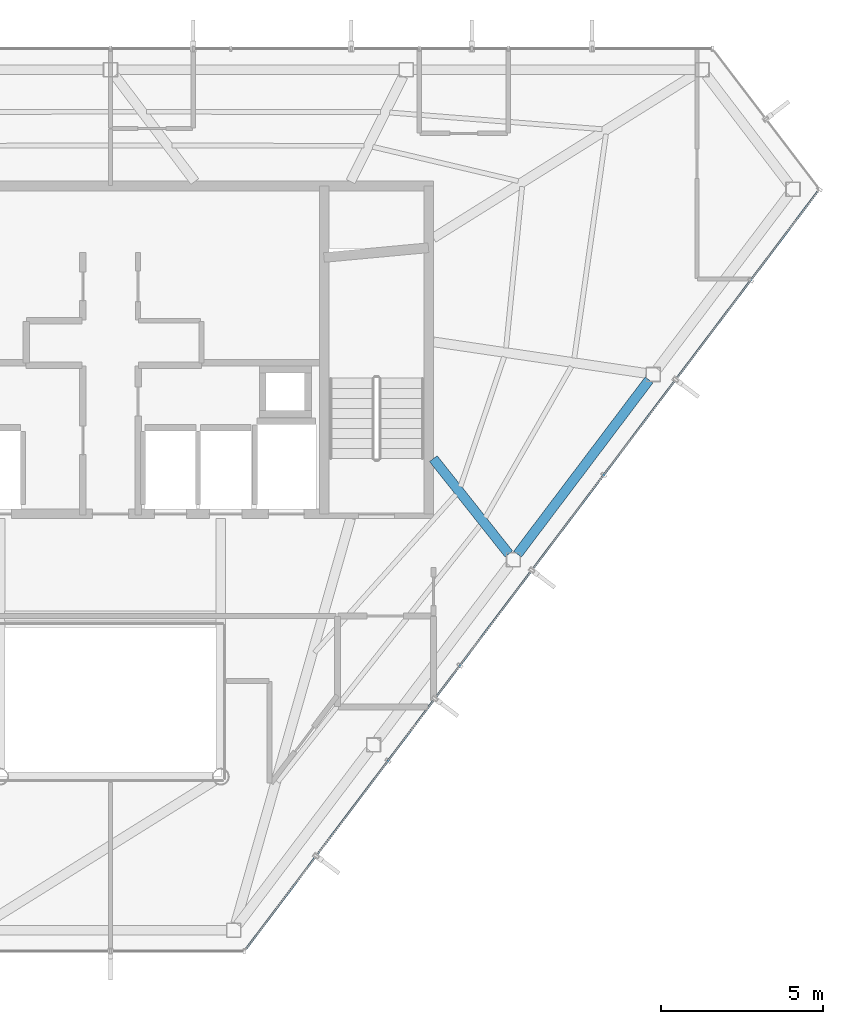
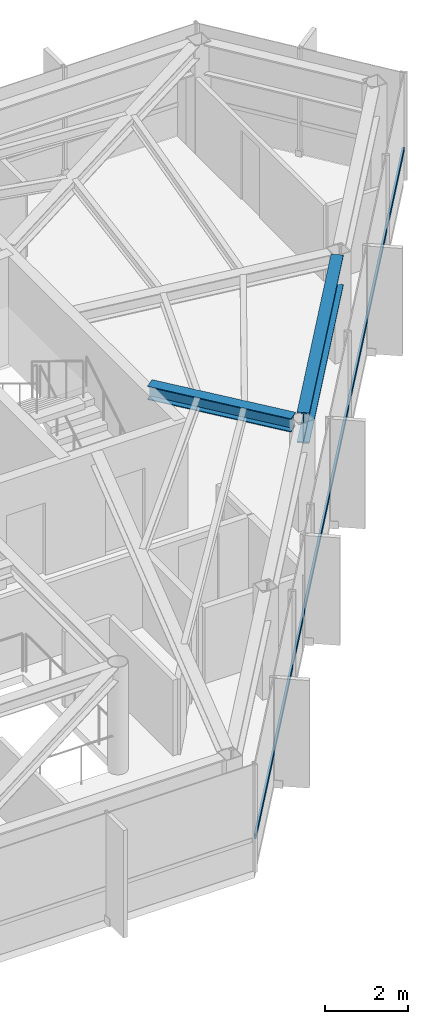
# One storey, part 16 of 23: 2 beams, 1 member, 1 element without a shape of its own.
"""IFC4 building model written with IfcOpenShell, lengths in metres."""

import ifcopenshell
import ifcopenshell.guid

model = None  # the IFC model being written
_history = None  # IfcOwnerHistory: only IFC2X3 demands one
_inside = {}  # id of a spatial element -> (the spatial element, [elements in it])
_under = {}  # id of a project, library or spatial element -> (it, [spatial elements below it])
_declared = {}  # id of a project -> (the project, [libraries it declares])
_typed = {}  # id of a type object -> (the type object, [elements of that type])
_made_of = {}  # id of a material, layer set ... -> (it, [elements and type objects made of it])


def new_model(schema):
    """Start an empty IFC model of exactly this schema.

    Asked for "IFC4X3", IfcOpenShell would pick the latest addendum, in which some entities
    have other attributes; the version numbers below select the first issue.
    IFC2X3 requires an IfcOwnerHistory on every rooted entity: one is made here for all.
    """
    global model, _history
    if schema == "IFC4X3":
        model = ifcopenshell.file(schema_version=(4, 3, 0, 0))
    else:
        model = ifcopenshell.file(schema=schema)
    _inside.clear()
    _under.clear()
    _declared.clear()
    _typed.clear()
    _made_of.clear()
    _history = None
    if model.schema == "IFC2X3":
        org = make("IfcOrganization", Name="unknown")
        user = make(
            "IfcPersonAndOrganization",
            ThePerson=make("IfcPerson", FamilyName="unknown"),
            TheOrganization=org,
        )
        app = make(
            "IfcApplication",
            ApplicationDeveloper=org,
            Version="unknown",
            ApplicationFullName="unknown",
            ApplicationIdentifier="unknown",
        )
        _history = make(
            "IfcOwnerHistory",
            OwningUser=user,
            OwningApplication=app,
            ChangeAction="ADDED",
            CreationDate=0,
        )
    return model


def make(cls, **values):
    """One entity of the class cls with the attributes given. An attribute that is None is left unset."""
    return model.create_entity(
        cls, **{name: value for name, value in values.items() if value is not None}
    )


def rooted(cls, **values):
    """An entity with a GlobalId (a new one), such as an element, a storey or a relation."""
    return make(cls, GlobalId=ifcopenshell.guid.new(), OwnerHistory=_history, **values)


def si_unit(unit_type, name, prefix=None):
    """IfcSIUnit, for example si_unit("LENGTHUNIT", "METRE", prefix="MILLI")."""
    return make("IfcSIUnit", UnitType=unit_type, Prefix=prefix, Name=name)


def assignment(units):
    """IfcUnitAssignment: the units of a project."""
    return None if units is None else make("IfcUnitAssignment", Units=units)


def point(xyz):
    """IfcCartesianPoint."""
    return None if xyz is None else make("IfcCartesianPoint", Coordinates=xyz)


def direction(xyz):
    """IfcDirection."""
    return None if xyz is None else make("IfcDirection", DirectionRatios=xyz)


def frame(location, z_axis=None, x_axis=None):
    """IfcAxis2Placement3D, a coordinate frame: its origin and axes. An axis left out is left unset."""
    return make(
        "IfcAxis2Placement3D",
        Location=point(location),
        Axis=direction(z_axis),
        RefDirection=direction(x_axis),
    )


def frame_2d(location, x_axis=None):
    """IfcAxis2Placement2D, a coordinate frame in the plane: its origin and x axis."""
    return make(
        "IfcAxis2Placement2D", Location=point(location), RefDirection=direction(x_axis)
    )


def origin():
    """The frame at (0, 0, 0) with its axes left unset."""
    return frame((0.0, 0.0, 0.0))


def origin_2d():
    """The frame at (0, 0) in the plane with its x axis left unset."""
    return frame_2d((0.0, 0.0))


def place(relative_to, where):
    """IfcLocalPlacement: puts the frame where relative to a parent placement (None: the world)."""
    return make(
        "IfcLocalPlacement", PlacementRelTo=relative_to, RelativePlacement=where
    )


def context(
    kind, dimensions, precision=None, world=None, true_north=None, identifier=None
):
    """IfcGeometricRepresentationContext, for example the 3D "Model" context."""
    return make(
        "IfcGeometricRepresentationContext",
        ContextIdentifier=identifier,
        ContextType=kind,
        CoordinateSpaceDimension=dimensions,
        Precision=precision,
        WorldCoordinateSystem=world,
        TrueNorth=true_north,
    )


def subcontext(parent, identifier, kind, view, scale=None):
    """IfcGeometricRepresentationSubContext, for example "Body" below "Model"."""
    return make(
        "IfcGeometricRepresentationSubContext",
        ContextIdentifier=identifier,
        ContextType=kind,
        ParentContext=parent,
        TargetScale=scale,
        TargetView=view,
    )


def project(units=None, contexts=None):
    """IfcProject with its units and contexts."""
    return rooted(
        "IfcProject",
        Name="project",
        RepresentationContexts=contexts,
        UnitsInContext=assignment(units),
    )


def spatial(cls, under=None, at=None, **own):
    """A site, building, storey or space (cls), placed at a placement, below another one or the project."""
    s = rooted(cls, ObjectPlacement=at, **own)
    if under is not None:
        _under.setdefault(under.id(), (under, []))[1].append(s)
    return s


def profile(cls, at=None, kind="AREA", **sizes):
    """A parametric profile (cls). Its sizes go by their IFC names, for example OverallWidth=200.0."""
    return make(cls, ProfileType=kind, Position=at, **sizes)


def hollow_rectangle(**sizes):
    """IfcRectangleHollowProfileDef."""
    return profile("IfcRectangleHollowProfileDef", **sizes)


def i_section(**sizes):
    """IfcIShapeProfileDef."""
    return profile("IfcIShapeProfileDef", **sizes)


def extrude(swept, where, along, depth):
    """IfcExtrudedAreaSolid: the profile swept, set in the frame where, extruded along a direction by depth."""
    return make(
        "IfcExtrudedAreaSolid",
        SweptArea=swept,
        Position=where,
        ExtrudedDirection=direction(along),
        Depth=depth,
    )


def shape(context_of_items, identifier, shape_type, items):
    """IfcShapeRepresentation: the items that make up one representation, for example the "Body"."""
    return make(
        "IfcShapeRepresentation",
        ContextOfItems=context_of_items,
        RepresentationIdentifier=identifier,
        RepresentationType=shape_type,
        Items=items,
    )


def material(Name=None, Category=None):
    """IfcMaterial."""
    return make("IfcMaterial", Name=Name, Category=Category)


def layer(
    of_material, thickness, ventilated=None, Name=None, Category=None, Priority=None
):
    """IfcMaterialLayer: one layer of a wall or slab, of a material (None: an air gap)."""
    return make(
        "IfcMaterialLayer",
        Material=of_material,
        LayerThickness=thickness,
        IsVentilated=ventilated,
        Name=Name,
        Category=Category,
        Priority=Priority,
    )


def layer_set(layers, Name=None):
    """IfcMaterialLayerSet."""
    return make("IfcMaterialLayerSet", MaterialLayers=layers, LayerSetName=Name)


def material_profile(
    of_material, cross_section, Name=None, Category=None, Priority=None
):
    """IfcMaterialProfile: a cross section and its material."""
    return make(
        "IfcMaterialProfile",
        Name=Name,
        Material=of_material,
        Profile=cross_section,
        Priority=Priority,
        Category=Category,
    )


def profile_set(profiles, Name=None, composite=None):
    """IfcMaterialProfileSet."""
    return make(
        "IfcMaterialProfileSet",
        Name=Name,
        MaterialProfiles=profiles,
        CompositeProfile=composite,
    )


def made_of(thing, what):
    """Note that an element or type object is made of a material, layer set ...; save() writes the relation."""
    if what is not None:
        _made_of.setdefault(what.id(), (what, []))[1].append(thing)
    return thing


def type_object(cls, material=None, **own):
    """A type object (cls), such as IfcWallType, which elements share."""
    return made_of(rooted(cls, **own), material)


def element(
    cls,
    number,
    at=None,
    inside=None,
    cuts=None,
    type_object=None,
    material=None,
    context=None,
    identifier="Body",
    shape_type=None,
    held_by="IfcProductDefinitionShape",
    body=None,
    shapes=None,
    **own,
):
    """One element of the class cls, such as IfcWall. Its Tag is "e" and its number.

    at: its placement. inside: the storey or other place that contains it. cuts: it is an
    opening in that element (IfcRelVoidsElement). A single representation is given by context,
    identifier, shape_type and body (its items); several are given by shapes. held_by: the class
    of the entity that holds the representations. save() writes the other relations.
    """
    e = rooted(cls, Tag="e%d" % number, ObjectPlacement=at, **own)
    if body is not None:
        shapes = [shape(context, identifier, shape_type, body)]
    if shapes is not None:
        e.Representation = make(held_by, Representations=shapes)
    if inside is not None:
        _inside.setdefault(inside.id(), (inside, []))[1].append(e)
    if cuts is not None:
        rooted(
            "IfcRelVoidsElement", RelatingBuildingElement=cuts, RelatedOpeningElement=e
        )
    if type_object is not None:
        _typed.setdefault(type_object.id(), (type_object, []))[1].append(e)
    return made_of(e, material)


def aggregate(whole, parts):
    """IfcRelAggregates: a whole, such as a stair, and the parts it consists of."""
    return rooted("IfcRelAggregates", RelatingObject=whole, RelatedObjects=parts)


def save(model, path):
    """Write the relations noted so far, then the file.

    IfcRelAggregates (storeys below a building ...), IfcRelContainedInSpatialStructure (elements
    in a storey), IfcRelDefinesByType, IfcRelAssociatesMaterial and IfcRelDeclares: one each for
    every whole, place, type object, material and project.
    """
    for whole, parts in _under.values():
        aggregate(whole, parts)
    for where, things in _inside.values():
        rooted(
            "IfcRelContainedInSpatialStructure",
            RelatedElements=things,
            RelatingStructure=where,
        )
    for kind, things in _typed.values():
        rooted("IfcRelDefinesByType", RelatedObjects=things, RelatingType=kind)
    for what, things in _made_of.values():
        rooted("IfcRelAssociatesMaterial", RelatedObjects=things, RelatingMaterial=what)
    for by, libraries in _declared.values():
        rooted("IfcRelDeclares", RelatingContext=by, RelatedDefinitions=libraries)
    model.write(path)


model = new_model("IFC4")

# Units and contexts
model_context = context("Model", 3, precision=1e-05, world=origin(), true_north=direction((0.0, 1.0)))
body_context = subcontext(model_context, "Body", "Model", "MODEL_VIEW")
ifc_project = project(units=[si_unit("LENGTHUNIT", "METRE"), si_unit("AREAUNIT", "SQUARE_METRE"), si_unit("VOLUMEUNIT", "CUBIC_METRE"), si_unit("PLANEANGLEUNIT", "RADIAN"), si_unit("MASSUNIT", "GRAM", prefix="KILO")], contexts=[model_context])

# Site, building, storey
site_placement = place(None, origin())
site = spatial("IfcSite", under=ifc_project, at=site_placement, CompositionType="ELEMENT")
building_placement = place(site_placement, origin())
building = spatial("IfcBuilding", under=site, at=building_placement, Name="Zarrinselat Tower", CompositionType="ELEMENT")
storey_placement = place(building_placement, frame((0.0, 0.0, 278.800048828125)))
storey = spatial("IfcBuildingStorey", under=building, at=storey_placement, Name="L71", CompositionType="ELEMENT", Elevation=278.800048828125)

# Beams
ifc_material_1 = material(Name="Steel S355J2", Category="steel")
ifc_material_profile_1 = material_profile(ifc_material_1, i_section(OverallWidth=0.300048828125, OverallDepth=0.39990234375, WebThickness=0.013427734375, FlangeThickness=0.02392578125, at=origin_2d()), Name="HEB 400")
ifc_profile_set_1 = profile_set([ifc_material_profile_1], Name="Steel S355J2")
beam_type_1 = type_object("IfcBeamType", Name="BM-HEB400", PredefinedType="BEAM", material=ifc_profile_set_1)
beam_1_placement = place(storey_placement, frame((48.35009765625, 35.0, 2.97998046875), z_axis=(0.620983415938, -0.783823702838, 0.0), x_axis=(0.783823702838, 0.620983415938, 0.0)))
element("IfcBeam", 1, at=beam_1_placement, inside=storey, type_object=beam_type_1, Name="L71 Radial Primary Girder RG13", PredefinedType="BEAM", context=body_context, shape_type="SweptSolid", body=[
    extrude(i_section(OverallWidth=0.300048828125, OverallDepth=0.39990234375, WebThickness=0.013427734375, FlangeThickness=0.02392578125, at=origin_2d()), origin(), (0.0, 0.0, 1.0), 3.7451171875),
])
ifc_material_2 = material(Name="Steel S460M", Category="steel")
ifc_material_profile_2 = material_profile(ifc_material_2, i_section(OverallWidth=0.302001953125, OverallDepth=0.909912109375, WebThickness=0.02099609375, FlangeThickness=0.0400390625, at=origin_2d()), Name="HEM 900")
ifc_profile_set_2 = profile_set([ifc_material_profile_2], Name="Steel S460M")
beam_type_2 = type_object("IfcBeamType", Name="BM-HEM900", PredefinedType="BEAM", material=ifc_profile_set_2)
beam_2_placement = place(storey_placement, frame((50.945068359375, 32.056396484375, 2.724853515625), z_axis=(0.602430465943, 0.798171368632, 0.0), x_axis=(-0.798171368632, 0.602430465943, 0.0)))
element("IfcBeam", 2, at=beam_2_placement, inside=storey, type_object=beam_type_2, Name="L71 Perimeter Spandrel Girder SP13", PredefinedType="BEAM", context=body_context, shape_type="SweptSolid", body=[
    extrude(i_section(OverallWidth=0.302001953125, OverallDepth=0.909912109375, WebThickness=0.02099609375, FlangeThickness=0.0400390625, at=origin_2d()), origin(), (0.0, 0.0, 1.0), 6.7265625),
])

# Curtain wall, member
ifc_material_3 = material(Name="Extruded Aluminium Alloy EN AW-6063 T6", Category="aluminium")
ifc_layer = layer(ifc_material_3, 0.199951171875)
ifc_layer_set = layer_set([ifc_layer], Name="Extruded Aluminium Alloy EN AW-6063 T6")
curtain_wall_type = type_object("IfcCurtainWallType", Name="CWS-BLADE", PredefinedType="NOTDEFINED", material=ifc_layer_set)
curtain_wall_placement = place(storey_placement, origin())
curtain_wall = element("IfcCurtainWall", 3, at=curtain_wall_placement, inside=storey, type_object=curtain_wall_type, Name="L71 Unitised Curtain Wall CW-L71-E05", PredefinedType="NOTDEFINED")
ifc_material_4 = material(Name="Extruded Aluminium Alloy EN AW-6063 T6", Category="aluminium")
ifc_material_profile_3 = material_profile(ifc_material_4, hollow_rectangle(XDim=0.06005859375, YDim=0.139892578125, WallThickness=0.00390625, at=origin_2d()), Name="RHS 140x60x4")
ifc_profile_set_3 = profile_set([ifc_material_profile_3], Name="Extruded Aluminium Alloy EN AW-6063 T6")
member_type = type_object("IfcMemberType", Name="MEM-CW-TRN", PredefinedType="USERDEFINED", material=ifc_profile_set_3)
member_placement = place(storey_placement, frame((42.576904296875, 19.890869140625, 0.949951171875), z_axis=(0.602445438851, 0.79816006741, 0.0), x_axis=(-0.79816006741, 0.602445438851, 0.0)))
member = element("IfcMember", 4, at=member_placement, type_object=member_type, Name="CW-L71-E05 Transom 1", ObjectType="TRANSOM", PredefinedType="USERDEFINED", context=body_context, shape_type="SweptSolid", body=[
    extrude(hollow_rectangle(XDim=0.06005859375, YDim=0.139892578125, WallThickness=0.00390625, at=origin_2d()), origin(), (0.0, 0.0, 1.0), 29.24609375),
])
aggregate(curtain_wall, [member])

save(model, "model.ifc")
